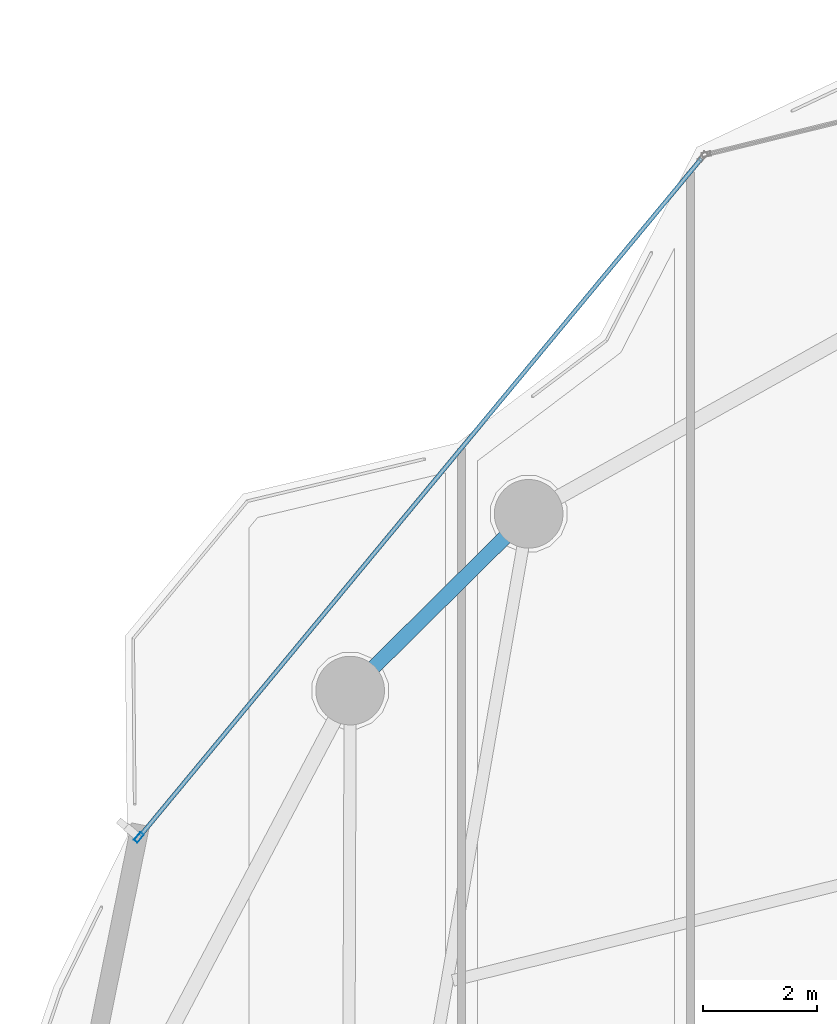
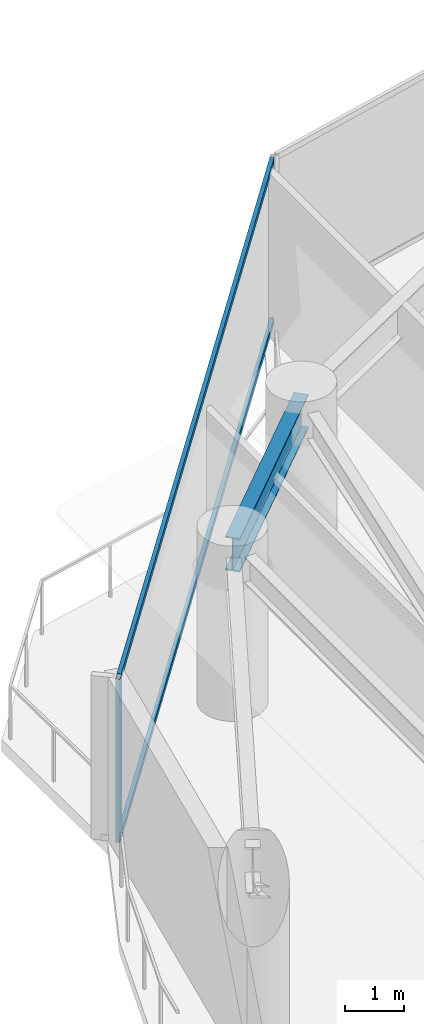
# One storey, part 16 of 28: 3 members, 1 beam, 1 element without a shape of its own.
"""IFC4 building model written with IfcOpenShell, lengths in metres."""

from ifc_helpers import new_model, si_unit, direction, frame, origin, origin_2d, place, context, subcontext, project, spatial, hollow_rectangle, i_section, extrude, material, layer, layer_set, material_profile, profile_set, type_object, element, aggregate, save


model = new_model("IFC4")

# Units and contexts
model_context = context("Model", 3, precision=1e-05, world=origin(), true_north=direction((0.0, 1.0)))
body_context = subcontext(model_context, "Body", "Model", "MODEL_VIEW")
ifc_project = project(units=[si_unit("LENGTHUNIT", "METRE"), si_unit("AREAUNIT", "SQUARE_METRE"), si_unit("VOLUMEUNIT", "CUBIC_METRE"), si_unit("PLANEANGLEUNIT", "RADIAN"), si_unit("MASSUNIT", "GRAM", prefix="KILO")], contexts=[model_context])

# Site, building, storey
site_placement = place(None, origin())
site = spatial("IfcSite", under=ifc_project, at=site_placement, CompositionType="ELEMENT")
building_placement = place(site_placement, origin())
building = spatial("IfcBuilding", under=site, at=building_placement, Name="Kazevale Care Tower and Concert Hall", CompositionType="ELEMENT")
storey_placement = place(building_placement, frame((0.0, 0.0, 109.800048828125)))
storey = spatial("IfcBuildingStorey", under=building, at=storey_placement, Name="L28", CompositionType="ELEMENT", Elevation=109.800048828125)

# Curtain wall, members
ifc_material_1 = material(Name="Aluminium 6063-T6 and Low-E Glass", Category="aluminium")
ifc_layer = layer(ifc_material_1, 0.179931640625)
ifc_layer_set = layer_set([ifc_layer], Name="Aluminium 6063-T6 and Low-E Glass")
curtain_wall_type = type_object("IfcCurtainWallType", Name="Convex Checkerboard Finned Curtain Wall CW-2", PredefinedType="NOTDEFINED", material=ifc_layer_set)
curtain_wall_placement = place(storey_placement, origin())
curtain_wall = element("IfcCurtainWall", 1, at=curtain_wall_placement, inside=storey, type_object=curtain_wall_type, Name="cw:L28:f14", PredefinedType="NOTDEFINED")
ifc_material_2 = material(Name="Aluminium 6063-T6", Category="aluminium")
ifc_material_profile_1 = material_profile(ifc_material_2, hollow_rectangle(XDim=0.080078125, YDim=0.179931640625, WallThickness=0.0048828125, at=origin_2d()), Name="ALU80x180x5")
ifc_profile_set_1 = profile_set([ifc_material_profile_1], Name="Aluminium 6063-T6")
member_type_1 = type_object("IfcMemberType", Name="CW-2 Mullion ALU80x180x5", PredefinedType="MULLION", material=ifc_profile_set_1)
member_1_placement = place(storey_placement, frame((18.357421875, 48.923828125, 0.0), z_axis=(0.0, 0.0, 1.0), x_axis=(-0.770049579196, 0.637984048061, 0.0)))
member_1 = element("IfcMember", 2, at=member_1_placement, type_object=member_type_1, Name="CW-2 mullion 1", PredefinedType="MULLION", context=body_context, shape_type="SweptSolid", body=[
    extrude(hollow_rectangle(XDim=0.080078125, YDim=0.179931640625, WallThickness=0.0048828125, at=origin_2d()), origin(), (0.0, 0.0, 1.0), 3.35986328125),
])
ifc_material_profile_2 = material_profile(ifc_material_2, hollow_rectangle(XDim=0.074951171875, YDim=0.1201171875, WallThickness=0.00390625, at=origin_2d()), Name="ALU75x120x4")
ifc_profile_set_2 = profile_set([ifc_material_profile_2], Name="Aluminium 6063-T6")
member_type_2 = type_object("IfcMemberType", Name="CW-2 Transom ALU75x120x4", PredefinedType="USERDEFINED", material=ifc_profile_set_2)
member_2_placement = place(storey_placement, frame((18.383056640625, 48.95458984375, 0.037353515625), z_axis=(0.637986649499, 0.770047423904, 0.0), x_axis=(-0.770047423904, 0.637986649499, 0.0)))
member_2 = element("IfcMember", 3, at=member_2_placement, type_object=member_type_2, Name="CW-2 transom 1.1", ObjectType="TRANSOM", PredefinedType="USERDEFINED", context=body_context, shape_type="SweptSolid", body=[
    extrude(hollow_rectangle(XDim=0.074951171875, YDim=0.1201171875, WallThickness=0.00390625, at=origin_2d()), origin(), (0.0, 0.0, 1.0), 15.3701171875),
])
member_3_placement = place(storey_placement, frame((18.383056640625, 48.95458984375, 3.322509765625), z_axis=(0.637986649499, 0.770047423904, 0.0), x_axis=(-0.770047423904, 0.637986649499, 0.0)))
member_3 = element("IfcMember", 4, at=member_3_placement, type_object=member_type_2, Name="CW-2 transom 1.2", ObjectType="TRANSOM", PredefinedType="USERDEFINED", context=body_context, shape_type="SweptSolid", body=[
    extrude(hollow_rectangle(XDim=0.074951171875, YDim=0.1201171875, WallThickness=0.00390625, at=origin_2d()), origin(), (0.0, 0.0, 1.0), 15.3701171875),
])
aggregate(curtain_wall, [member_1, member_2, member_3])

# Beam
ifc_material_3 = material(Name="Steel ASTM A572 Gr 50", Category="steel")
ifc_material_profile_3 = material_profile(ifc_material_3, i_section(OverallWidth=0.256103515625, OverallDepth=0.693115234375, WebThickness=0.014404296875, FlangeThickness=0.023681640625, at=origin_2d()), Name="W690x170")
ifc_profile_set_3 = profile_set([ifc_material_profile_3], Name="Steel ASTM A572 Gr 50")
beam_type = type_object("IfcBeamType", Name="Waist Ring Beam W690x170", PredefinedType="BEAM", material=ifc_profile_set_3)
beam_placement = place(storey_placement, frame((25.169921875, 54.580078125, 3.013427734375), z_axis=(-0.710490141585, -0.703707154085, 0.0), x_axis=(0.703707154085, -0.710490141585, 0.0)))
element("IfcBeam", 5, at=beam_placement, inside=storey, type_object=beam_type, Name="beam:L28:ring:07", PredefinedType="BEAM", context=body_context, shape_type="SweptSolid", body=[
    extrude(i_section(OverallWidth=0.256103515625, OverallDepth=0.693115234375, WebThickness=0.014404296875, FlangeThickness=0.023681640625, at=origin_2d()), origin(), (0.0, 0.0, 1.0), 4.39111328125),
])

save(model, "model.ifc")
